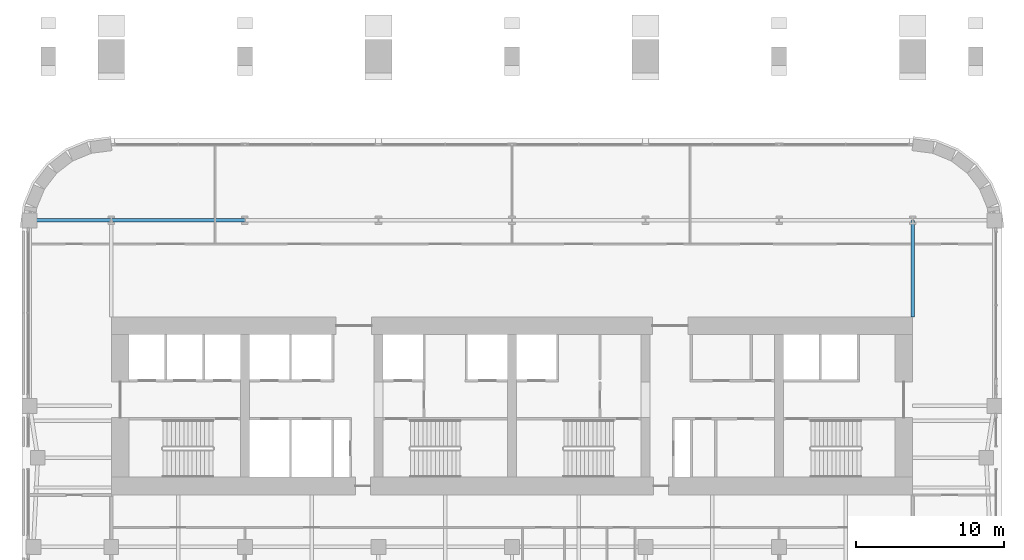
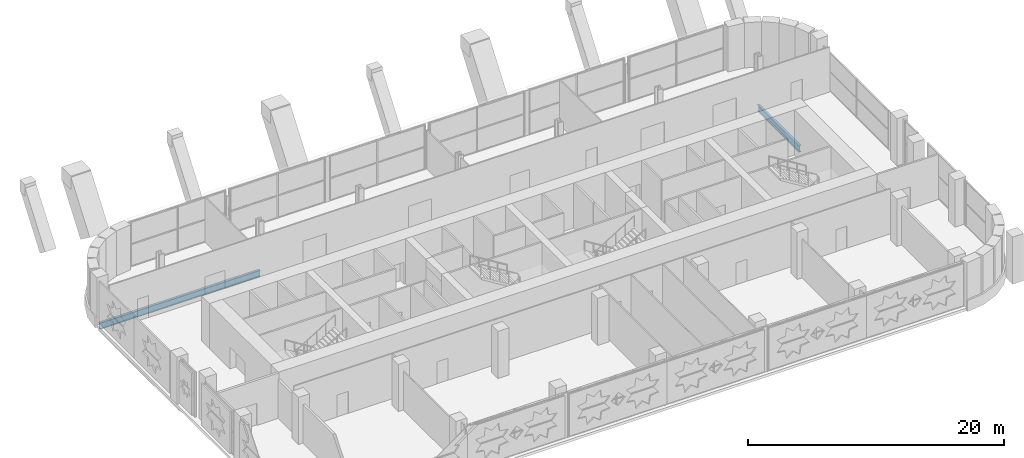
# One storey, part 7 of 24: 2 beams.
"""IFC4 building model written with IfcOpenShell, lengths in metres."""

from ifc_helpers import new_model, si_unit, direction, frame, origin, origin_2d, place, context, subcontext, project, spatial, i_section, extrude, material, material_profile, profile_set, type_object, element, save


model = new_model("IFC4")

# Units and contexts
model_context = context("Model", 3, precision=1e-05, world=origin(), true_north=direction((0.0, 1.0)))
body_context = subcontext(model_context, "Body", "Model", "MODEL_VIEW")
ifc_project = project(units=[si_unit("LENGTHUNIT", "METRE"), si_unit("AREAUNIT", "SQUARE_METRE"), si_unit("VOLUMEUNIT", "CUBIC_METRE"), si_unit("PLANEANGLEUNIT", "RADIAN"), si_unit("MASSUNIT", "GRAM", prefix="KILO")], contexts=[model_context])

# Site, building, storey
site_placement = place(None, origin())
site = spatial("IfcSite", under=ifc_project, at=site_placement, CompositionType="ELEMENT")
building_placement = place(site_placement, origin())
building = spatial("IfcBuilding", under=site, at=building_placement, Name="Zellij Exchange Tower", CompositionType="ELEMENT")
storey_placement = place(building_placement, frame((0.0, 0.0, 48.0)))
storey = spatial("IfcBuildingStorey", under=building, at=storey_placement, Name="L08", CompositionType="ELEMENT", Elevation=48.0)

# Beams
ifc_material = material(Name="Structural steel ASTM A992 Gr 50", Category="steel")
ifc_material_profile = material_profile(ifc_material, i_section(OverallWidth=0.22900390625, OverallDepth=0.612060546875, WebThickness=0.011962890625, FlangeThickness=0.01953125, at=origin_2d()), Name="W24x84")
ifc_profile_set = profile_set([ifc_material_profile], Name="Structural steel ASTM A992 Gr 50")
beam_type = type_object("IfcBeamType", Name="STR-GIRDER W24x84", PredefinedType="BEAM", material=ifc_profile_set)
beam_1_placement = place(storey_placement, frame((-32.5, 4.5, -0.55615234375), z_axis=(1.0, 0.0, 0.0), x_axis=(0.0, 1.0, 0.0)))
element("IfcBeam", 1, at=beam_1_placement, inside=storey, type_object=beam_type, Name="G4", PredefinedType="BEAM", context=body_context, shape_type="SweptSolid", body=[
    extrude(i_section(OverallWidth=0.22900390625, OverallDepth=0.612060546875, WebThickness=0.011962890625, FlangeThickness=0.01953125, at=origin_2d()), origin(), (0.0, 0.0, 1.0), 14.5),
])
beam_2_placement = place(storey_placement, frame((27.0, -2.0, -0.55615234375), z_axis=(0.0, 1.0, 0.0), x_axis=(-1.0, 0.0, 0.0)))
element("IfcBeam", 2, at=beam_2_placement, inside=storey, type_object=beam_type, Name="G4", PredefinedType="BEAM", context=body_context, shape_type="SweptSolid", body=[
    extrude(i_section(OverallWidth=0.22900390625, OverallDepth=0.612060546875, WebThickness=0.011962890625, FlangeThickness=0.01953125, at=origin_2d()), origin(), (0.0, 0.0, 1.0), 6.5),
])

save(model, "model.ifc")
